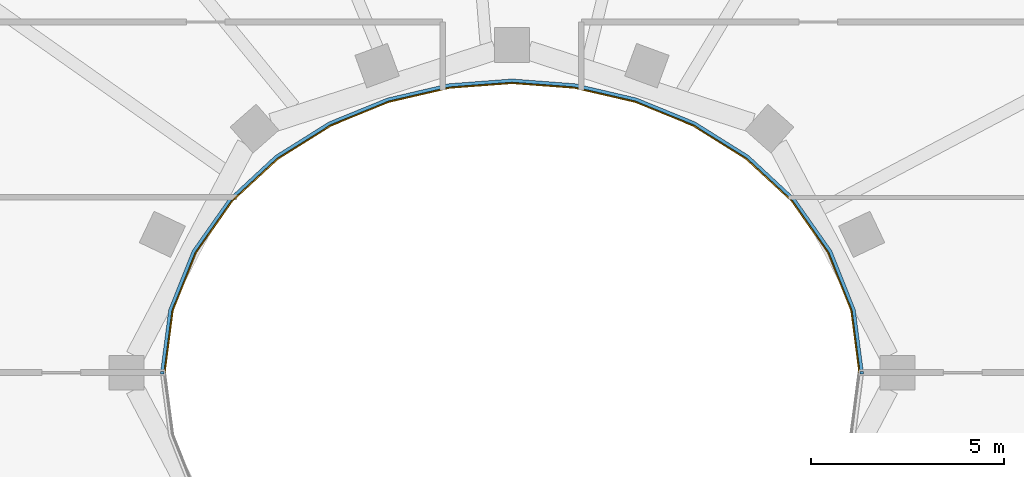
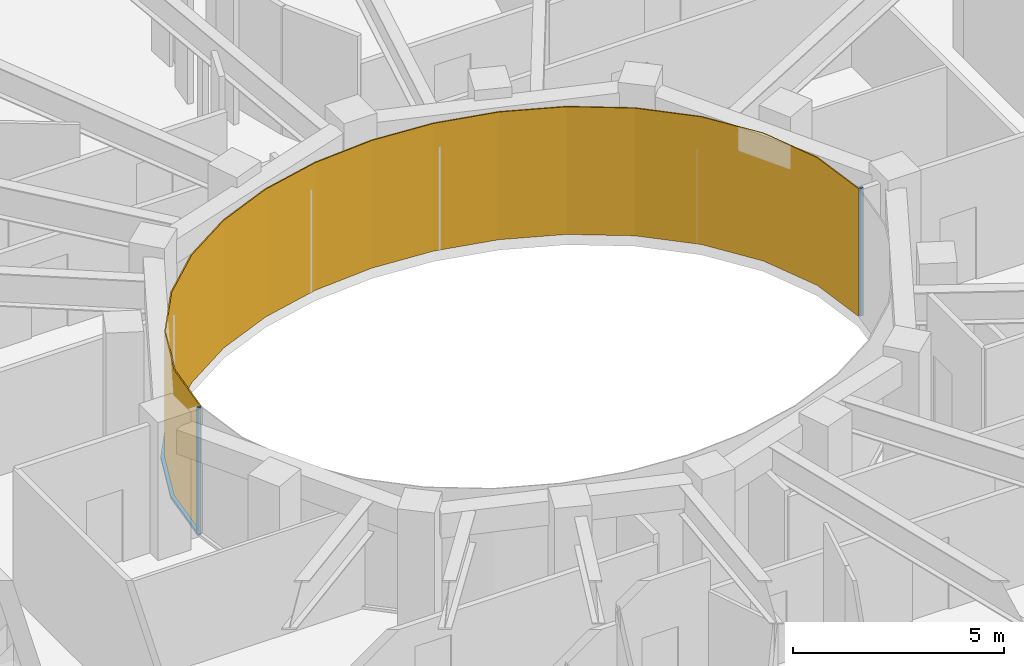
# One storey, part 12 of 16: 3 members, 1 curtain wall.
"""IFC4 building model written with IfcOpenShell, lengths in metres."""

from ifc_helpers import new_model, si_unit, direction, frame, origin, origin_2d, place, context, subcontext, project, spatial, polyline, rectangle, outline, extrude, material, layer, layer_set, material_profile, profile_set, type_object, element, aggregate, save


model = new_model("IFC4")

# Units and contexts
model_context = context("Model", 3, precision=1e-05, world=origin(), true_north=direction((0.0, 1.0)))
body_context = subcontext(model_context, "Body", "Model", "MODEL_VIEW")
ifc_project = project(units=[si_unit("LENGTHUNIT", "METRE"), si_unit("AREAUNIT", "SQUARE_METRE"), si_unit("VOLUMEUNIT", "CUBIC_METRE"), si_unit("PLANEANGLEUNIT", "RADIAN"), si_unit("MASSUNIT", "GRAM", prefix="KILO")], contexts=[model_context])

# Member
ifc_material_1 = material(Name="Steel S355 fire-resisting frame", Category="steel")
ifc_material_profile = material_profile(ifc_material_1, rectangle(XDim=0.090087890625, YDim=0.06005859375, at=origin_2d()), Name="90x60")
ifc_profile_set = profile_set([ifc_material_profile], Name="Steel S355 fire-resisting frame")
member_type_1 = type_object("IfcMemberType", Name="ENV-MULLION-W-90", PredefinedType="MULLION", material=ifc_profile_set)
site_placement = place(None, origin())
building_placement = place(site_placement, origin())
storey_placement = place(building_placement, frame((0.0, 0.0, 311.0)))
member_1_placement = place(storey_placement, frame((9.076904296875, 0.0, 0.0), z_axis=(0.0, 0.0, 1.0), x_axis=(1.0, 0.0, 0.0)))
member_1 = element("IfcMember", 1, at=member_1_placement, type_object=member_type_1, Name="Mullion W well vertex 01", PredefinedType="MULLION", context=body_context, shape_type="SweptSolid", body=[
    extrude(rectangle(XDim=0.090087890625, YDim=0.06005859375, at=origin_2d()), origin(), (0.0, 0.0, 1.0), 3.699951171875),
])

member_2_placement = place(storey_placement, frame((-9.076904296875, 0.0, 0.0), z_axis=(0.0, 0.0, 1.0), x_axis=(-1.0, 0.0, 0.0)))
member_2 = element("IfcMember", 2, at=member_2_placement, type_object=member_type_1, Name="Mullion W well vertex 17", PredefinedType="MULLION", context=body_context, shape_type="SweptSolid", body=[
    extrude(rectangle(XDim=0.090087890625, YDim=0.06005859375, at=origin_2d()), origin(), (0.0, 0.0, 1.0), 3.699951171875),
])

ifc_material_2 = material(Name="Steel S355 fire-resisting frame", Category="steel")
member_type_2 = type_object("IfcMemberType", Name="ENV-TRANSOM-W", PredefinedType="USERDEFINED", material=ifc_material_2)
member_3_placement = place(storey_placement, origin())
member_3 = element("IfcMember", 3, at=member_3_placement, type_object=member_type_2, Name="Transom W well 01-17", ObjectType="TRANSOM", PredefinedType="USERDEFINED", context=body_context, shape_type="SweptSolid", body=[
    extrude(outline(polyline([(9.119384765625, 0.02783203125), (8.910400390625, 1.63623046875), (8.29833984375, 3.167236328125), (7.35107421875, 4.5146484375), (6.1455078125, 5.6337890625), (4.75341796875, 6.50634765625), (3.233642578125, 7.127685546875), (1.635498046875, 7.498779296875), (0.0, 7.622314453125), (-1.635498046875, 7.498779296875), (-3.233642578125, 7.127685546875), (-4.75341796875, 6.50634765625), (-6.1455078125, 5.6337890625), (-7.35107421875, 4.5146484375), (-8.29833984375, 3.167236328125), (-8.910400390625, 1.63623046875), (-9.119384765625, 0.02783203125), (-9.02880859375, 0.02783203125), (-8.822509765625, 1.61328125), (-8.21875, 3.124267578125), (-7.282958984375, 4.455078125), (-6.090576171875, 5.56201171875), (-4.712158203125, 6.426025390625), (-3.206298828125, 7.04150390625), (-1.621826171875, 7.40966796875), (0.0, 7.531982421875), (1.621826171875, 7.40966796875), (3.206298828125, 7.04150390625), (4.712158203125, 6.426025390625), (6.090576171875, 5.56201171875), (7.282958984375, 4.455078125), (8.21875, 3.124267578125), (8.822509765625, 1.61328125), (9.02880859375, 0.02783203125), (9.119384765625, 0.02783203125)])), origin(), (0.0, 0.0, 1.0), 0.080078125),
])

# Site, building, storey
site = spatial("IfcSite", under=ifc_project, at=site_placement, CompositionType="ELEMENT")
building = spatial("IfcBuilding", under=site, at=building_placement, Name="Noorbagh Ring Tower", CompositionType="ELEMENT")
storey = spatial("IfcBuildingStorey", under=building, at=storey_placement, Name="L67", CompositionType="ELEMENT", Elevation=311.0)

# Curtain wall
ifc_material_3 = material(Name="Glass fire-resisting E60 laminated", Category="glass")
ifc_layer = layer(ifc_material_3, 0.031982421875)
ifc_layer_set = layer_set([ifc_layer], Name="Glass fire-resisting E60 laminated")
curtain_wall_type = type_object("IfcCurtainWallType", Name="ENV-CW-W", PredefinedType="NOTDEFINED", material=ifc_layer_set)
curtain_wall_placement = place(storey_placement, origin())
curtain_wall = element("IfcCurtainWall", 4, at=curtain_wall_placement, inside=storey, type_object=curtain_wall_type, Name="Curtain wall W W01", PredefinedType="NOTDEFINED", context=body_context, shape_type="SweptSolid", body=[
    extrude(outline(polyline([(9.0322265625, 0.0), (8.822509765625, 1.61328125), (8.21875, 3.124267578125), (7.282958984375, 4.455078125), (6.090576171875, 5.56201171875), (4.712158203125, 6.426025390625), (3.206298828125, 7.04150390625), (1.621826171875, 7.40966796875), (0.0, 7.531982421875), (-1.621826171875, 7.40966796875), (-3.206298828125, 7.04150390625), (-4.712158203125, 6.426025390625), (-6.090576171875, 5.56201171875), (-7.282958984375, 4.455078125), (-8.21875, 3.124267578125), (-8.822509765625, 1.61328125), (-9.0322265625, 0.0), (-9.0, 0.0), (-8.79150390625, 1.605224609375), (-8.1904296875, 3.10888671875), (-7.2587890625, 4.43408203125), (-6.071044921875, 5.53662109375), (-4.697509765625, 6.3974609375), (-3.196533203125, 7.010986328125), (-1.6171875, 7.3779296875), (0.0, 7.5), (1.6171875, 7.3779296875), (3.196533203125, 7.010986328125), (4.697509765625, 6.3974609375), (6.071044921875, 5.53662109375), (7.2587890625, 4.43408203125), (8.1904296875, 3.10888671875), (8.79150390625, 1.605224609375), (9.0, 0.0), (9.0322265625, 0.0)])), origin(), (0.0, 0.0, 1.0), 3.699951171875),
])

aggregate(curtain_wall, [member_1, member_2, member_3])

save(model, "model.ifc")
